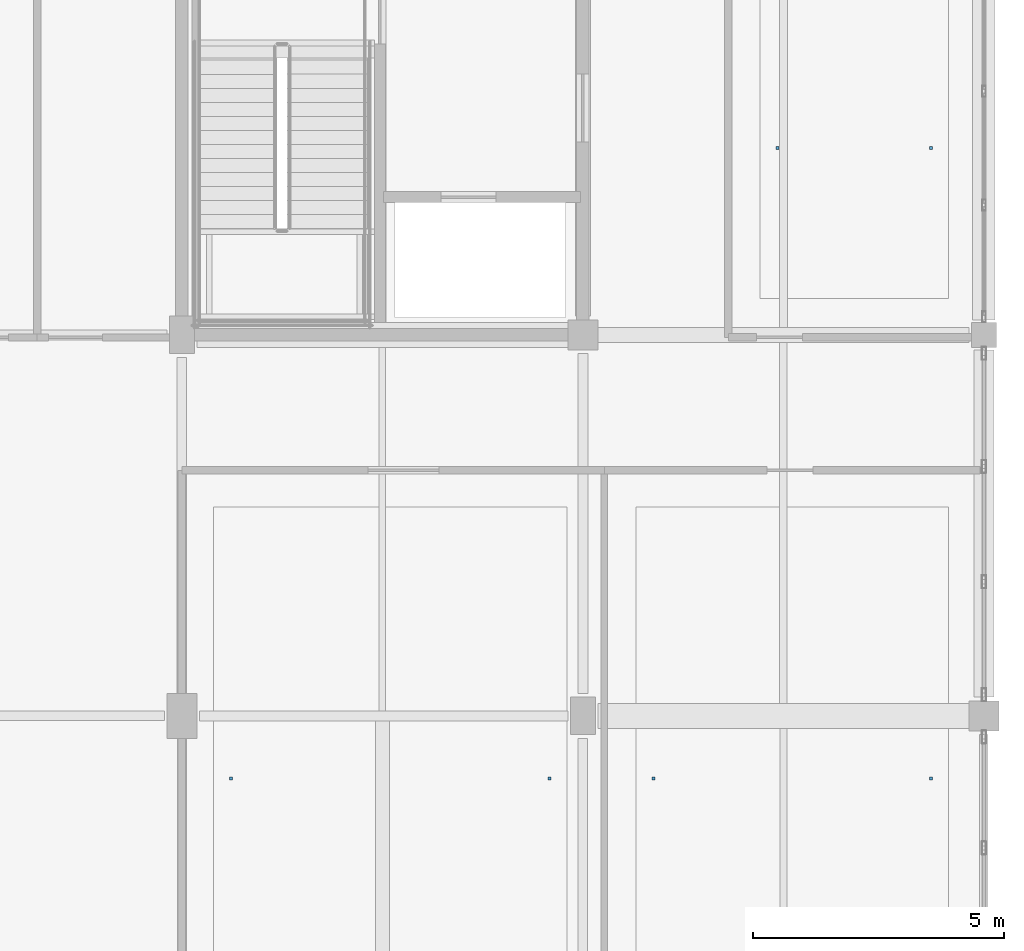
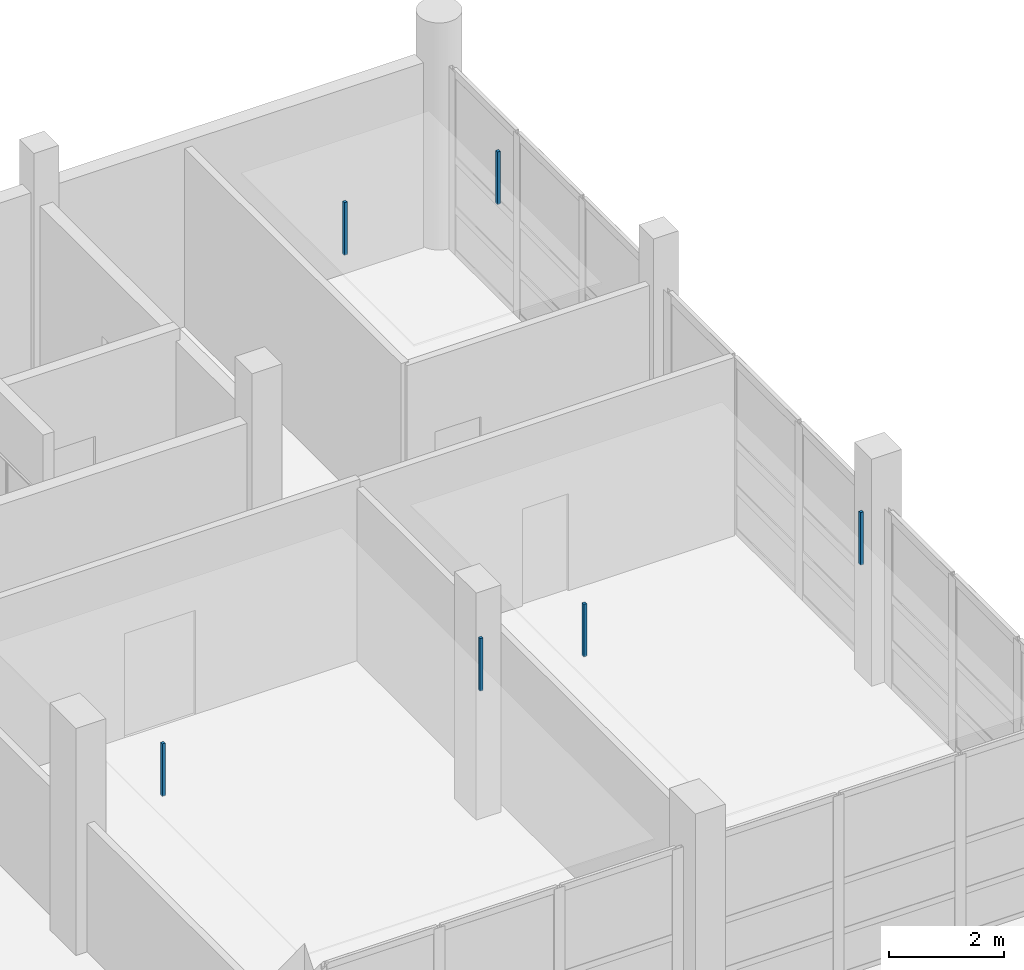
# One storey, part 121 of 141: 6 discrete accessories.
"""IFC4 building model written with IfcOpenShell, lengths in metres."""

import ifcopenshell
import ifcopenshell.guid

model = None  # the IFC model being written
_history = None  # IfcOwnerHistory: only IFC2X3 demands one
_inside = {}  # id of a spatial element -> (the spatial element, [elements in it])
_under = {}  # id of a project, library or spatial element -> (it, [spatial elements below it])
_declared = {}  # id of a project -> (the project, [libraries it declares])
_typed = {}  # id of a type object -> (the type object, [elements of that type])
_made_of = {}  # id of a material, layer set ... -> (it, [elements and type objects made of it])


def new_model(schema):
    """Start an empty IFC model of exactly this schema.

    Asked for "IFC4X3", IfcOpenShell would pick the latest addendum, in which some entities
    have other attributes; the version numbers below select the first issue.
    IFC2X3 requires an IfcOwnerHistory on every rooted entity: one is made here for all.
    """
    global model, _history
    if schema == "IFC4X3":
        model = ifcopenshell.file(schema_version=(4, 3, 0, 0))
    else:
        model = ifcopenshell.file(schema=schema)
    _inside.clear()
    _under.clear()
    _declared.clear()
    _typed.clear()
    _made_of.clear()
    _history = None
    if model.schema == "IFC2X3":
        org = make("IfcOrganization", Name="unknown")
        user = make(
            "IfcPersonAndOrganization",
            ThePerson=make("IfcPerson", FamilyName="unknown"),
            TheOrganization=org,
        )
        app = make(
            "IfcApplication",
            ApplicationDeveloper=org,
            Version="unknown",
            ApplicationFullName="unknown",
            ApplicationIdentifier="unknown",
        )
        _history = make(
            "IfcOwnerHistory",
            OwningUser=user,
            OwningApplication=app,
            ChangeAction="ADDED",
            CreationDate=0,
        )
    return model


def make(cls, **values):
    """One entity of the class cls with the attributes given. An attribute that is None is left unset."""
    return model.create_entity(
        cls, **{name: value for name, value in values.items() if value is not None}
    )


def rooted(cls, **values):
    """An entity with a GlobalId (a new one), such as an element, a storey or a relation."""
    return make(cls, GlobalId=ifcopenshell.guid.new(), OwnerHistory=_history, **values)


def si_unit(unit_type, name, prefix=None):
    """IfcSIUnit, for example si_unit("LENGTHUNIT", "METRE", prefix="MILLI")."""
    return make("IfcSIUnit", UnitType=unit_type, Prefix=prefix, Name=name)


def assignment(units):
    """IfcUnitAssignment: the units of a project."""
    return None if units is None else make("IfcUnitAssignment", Units=units)


def point(xyz):
    """IfcCartesianPoint."""
    return None if xyz is None else make("IfcCartesianPoint", Coordinates=xyz)


def direction(xyz):
    """IfcDirection."""
    return None if xyz is None else make("IfcDirection", DirectionRatios=xyz)


def frame(location, z_axis=None, x_axis=None):
    """IfcAxis2Placement3D, a coordinate frame: its origin and axes. An axis left out is left unset."""
    return make(
        "IfcAxis2Placement3D",
        Location=point(location),
        Axis=direction(z_axis),
        RefDirection=direction(x_axis),
    )


def frame_2d(location, x_axis=None):
    """IfcAxis2Placement2D, a coordinate frame in the plane: its origin and x axis."""
    return make(
        "IfcAxis2Placement2D", Location=point(location), RefDirection=direction(x_axis)
    )


def origin():
    """The frame at (0, 0, 0) with its axes left unset."""
    return frame((0.0, 0.0, 0.0))


def origin_2d():
    """The frame at (0, 0) in the plane with its x axis left unset."""
    return frame_2d((0.0, 0.0))


def place(relative_to, where):
    """IfcLocalPlacement: puts the frame where relative to a parent placement (None: the world)."""
    return make(
        "IfcLocalPlacement", PlacementRelTo=relative_to, RelativePlacement=where
    )


def context(
    kind, dimensions, precision=None, world=None, true_north=None, identifier=None
):
    """IfcGeometricRepresentationContext, for example the 3D "Model" context."""
    return make(
        "IfcGeometricRepresentationContext",
        ContextIdentifier=identifier,
        ContextType=kind,
        CoordinateSpaceDimension=dimensions,
        Precision=precision,
        WorldCoordinateSystem=world,
        TrueNorth=true_north,
    )


def subcontext(parent, identifier, kind, view, scale=None):
    """IfcGeometricRepresentationSubContext, for example "Body" below "Model"."""
    return make(
        "IfcGeometricRepresentationSubContext",
        ContextIdentifier=identifier,
        ContextType=kind,
        ParentContext=parent,
        TargetScale=scale,
        TargetView=view,
    )


def project(units=None, contexts=None):
    """IfcProject with its units and contexts."""
    return rooted(
        "IfcProject",
        Name="project",
        RepresentationContexts=contexts,
        UnitsInContext=assignment(units),
    )


def spatial(cls, under=None, at=None, **own):
    """A site, building, storey or space (cls), placed at a placement, below another one or the project."""
    s = rooted(cls, ObjectPlacement=at, **own)
    if under is not None:
        _under.setdefault(under.id(), (under, []))[1].append(s)
    return s


def profile(cls, at=None, kind="AREA", **sizes):
    """A parametric profile (cls). Its sizes go by their IFC names, for example OverallWidth=200.0."""
    return make(cls, ProfileType=kind, Position=at, **sizes)


def rectangle(**sizes):
    """IfcRectangleProfileDef."""
    return profile("IfcRectangleProfileDef", **sizes)


def extrude(swept, where, along, depth):
    """IfcExtrudedAreaSolid: the profile swept, set in the frame where, extruded along a direction by depth."""
    return make(
        "IfcExtrudedAreaSolid",
        SweptArea=swept,
        Position=where,
        ExtrudedDirection=direction(along),
        Depth=depth,
    )


def shape(context_of_items, identifier, shape_type, items):
    """IfcShapeRepresentation: the items that make up one representation, for example the "Body"."""
    return make(
        "IfcShapeRepresentation",
        ContextOfItems=context_of_items,
        RepresentationIdentifier=identifier,
        RepresentationType=shape_type,
        Items=items,
    )


def material(Name=None, Category=None):
    """IfcMaterial."""
    return make("IfcMaterial", Name=Name, Category=Category)


def made_of(thing, what):
    """Note that an element or type object is made of a material, layer set ...; save() writes the relation."""
    if what is not None:
        _made_of.setdefault(what.id(), (what, []))[1].append(thing)
    return thing


def type_object(cls, material=None, **own):
    """A type object (cls), such as IfcWallType, which elements share."""
    return made_of(rooted(cls, **own), material)


def element(
    cls,
    number,
    at=None,
    inside=None,
    cuts=None,
    type_object=None,
    material=None,
    context=None,
    identifier="Body",
    shape_type=None,
    held_by="IfcProductDefinitionShape",
    body=None,
    shapes=None,
    **own,
):
    """One element of the class cls, such as IfcWall. Its Tag is "e" and its number.

    at: its placement. inside: the storey or other place that contains it. cuts: it is an
    opening in that element (IfcRelVoidsElement). A single representation is given by context,
    identifier, shape_type and body (its items); several are given by shapes. held_by: the class
    of the entity that holds the representations. save() writes the other relations.
    """
    e = rooted(cls, Tag="e%d" % number, ObjectPlacement=at, **own)
    if body is not None:
        shapes = [shape(context, identifier, shape_type, body)]
    if shapes is not None:
        e.Representation = make(held_by, Representations=shapes)
    if inside is not None:
        _inside.setdefault(inside.id(), (inside, []))[1].append(e)
    if cuts is not None:
        rooted(
            "IfcRelVoidsElement", RelatingBuildingElement=cuts, RelatedOpeningElement=e
        )
    if type_object is not None:
        _typed.setdefault(type_object.id(), (type_object, []))[1].append(e)
    return made_of(e, material)


def aggregate(whole, parts):
    """IfcRelAggregates: a whole, such as a stair, and the parts it consists of."""
    return rooted("IfcRelAggregates", RelatingObject=whole, RelatedObjects=parts)


def save(model, path):
    """Write the relations noted so far, then the file.

    IfcRelAggregates (storeys below a building ...), IfcRelContainedInSpatialStructure (elements
    in a storey), IfcRelDefinesByType, IfcRelAssociatesMaterial and IfcRelDeclares: one each for
    every whole, place, type object, material and project.
    """
    for whole, parts in _under.values():
        aggregate(whole, parts)
    for where, things in _inside.values():
        rooted(
            "IfcRelContainedInSpatialStructure",
            RelatedElements=things,
            RelatingStructure=where,
        )
    for kind, things in _typed.values():
        rooted("IfcRelDefinesByType", RelatedObjects=things, RelatingType=kind)
    for what, things in _made_of.values():
        rooted("IfcRelAssociatesMaterial", RelatedObjects=things, RelatingMaterial=what)
    for by, libraries in _declared.values():
        rooted("IfcRelDeclares", RelatingContext=by, RelatedDefinitions=libraries)
    model.write(path)


model = new_model("IFC4")

# Units and contexts
model_context = context("Model", 3, precision=1e-05, world=origin(), true_north=direction((0.0, 1.0)))
body_context = subcontext(model_context, "Body", "Model", "MODEL_VIEW")
ifc_project = project(units=[si_unit("LENGTHUNIT", "METRE"), si_unit("AREAUNIT", "SQUARE_METRE"), si_unit("VOLUMEUNIT", "CUBIC_METRE"), si_unit("PLANEANGLEUNIT", "RADIAN"), si_unit("MASSUNIT", "GRAM", prefix="KILO")], contexts=[model_context])

# Site, building, storey
site_placement = place(None, origin())
site = spatial("IfcSite", under=ifc_project, at=site_placement, CompositionType="ELEMENT")
building_placement = place(site_placement, origin())
building = spatial("IfcBuilding", under=site, at=building_placement, Name="Khelvaren Railside Concert Hall", CompositionType="ELEMENT")
storey_placement = place(building_placement, frame((0.0, 0.0, 10.199951171875)))
storey = spatial("IfcBuildingStorey", under=building, at=storey_placement, Name="L02", CompositionType="ELEMENT", Elevation=10.199951171875)

# Discrete accessories
ifc_material = material(Name="Galvanised steel acoustic ceiling hanger rod", Category="steel")
discrete_accessory_type = type_object("IfcDiscreteAccessoryType", Name="BRK62", PredefinedType="BRACKET", material=ifc_material)
for number, where, z_axis, x_axis, name in (
    (1, (168.97998046875, 97.550048828125, 3.43017578125), (0.0, 0.0, 1.0), (1.0, 0.0, 0.0), "Acoustic Ceiling Suspension Bracket 149-1"),
    (2, (175.3349609375, 97.550048828125, 3.43017578125), (0.0, 0.0, 1.0), (1.0, 0.0, 0.0), "Acoustic Ceiling Suspension Bracket 149-2"),
    (3, (177.407958984375, 97.550048828125, 3.43017578125), (0.0, 0.0, 1.0), (1.0, 0.0, 0.0), "Acoustic Ceiling Suspension Bracket 150-1"),
    (4, (182.93994140625, 97.550048828125, 3.43017578125), (0.0, 0.0, 1.0), (1.0, 0.0, 0.0), "Acoustic Ceiling Suspension Bracket 150-2"),
    (5, (179.8798828125, 110.125, 3.43017578125), (0.0, 0.0, 1.0), (1.0, 0.0, 0.0), "Acoustic Ceiling Suspension Bracket 154-1"),
    (6, (182.93994140625, 110.125, 3.43017578125), (0.0, 0.0, 1.0), (1.0, 0.0, 0.0), "Acoustic Ceiling Suspension Bracket 154-2"),
):
    element("IfcDiscreteAccessory", number, at=place(storey_placement, frame(where, z_axis=z_axis, x_axis=x_axis)), inside=storey, type_object=discrete_accessory_type, Name=name, PredefinedType="BRACKET", context=body_context, shape_type="SweptSolid", body=[
        extrude(rectangle(XDim=0.06005859375, YDim=0.06005859375, at=origin_2d()), origin(), (0.0, 0.0, 1.0), 1.110107421875),
    ])

save(model, "model.ifc")
